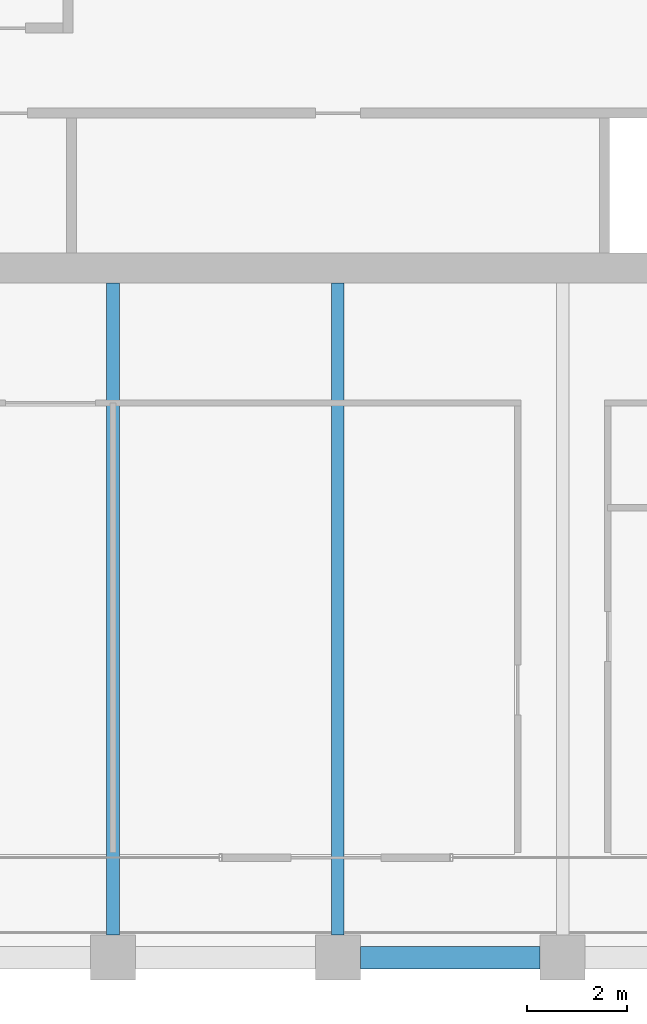
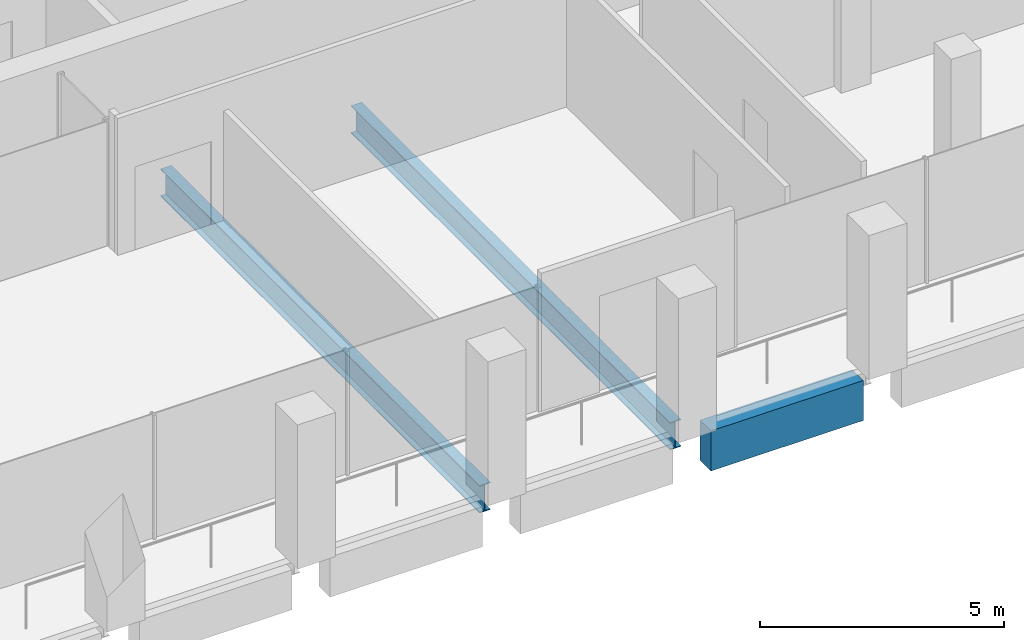
# One storey, part 8 of 40: 3 beams.
"""IFC4 building model written with IfcOpenShell, lengths in metres."""

from ifc_helpers import new_model, si_unit, direction, frame, origin, origin_2d, place, context, subcontext, project, spatial, rectangle, i_section, extrude, material, material_profile, profile_set, type_object, element, save


model = new_model("IFC4")

# Units and contexts
model_context = context("Model", 3, precision=1e-05, world=origin(), true_north=direction((0.0, 1.0)))
body_context = subcontext(model_context, "Body", "Model", "MODEL_VIEW")
ifc_project = project(units=[si_unit("LENGTHUNIT", "METRE"), si_unit("AREAUNIT", "SQUARE_METRE"), si_unit("VOLUMEUNIT", "CUBIC_METRE"), si_unit("PLANEANGLEUNIT", "RADIAN"), si_unit("MASSUNIT", "GRAM", prefix="KILO")], contexts=[model_context])

# Site, building, storey
site_placement = place(None, origin())
site = spatial("IfcSite", under=ifc_project, at=site_placement, CompositionType="ELEMENT")
building_placement = place(site_placement, origin())
building = spatial("IfcBuilding", under=site, at=building_placement, Name="Altepetl Exchange Towers", CompositionType="ELEMENT")
storey_placement = place(building_placement, frame((0.0, 0.0, 176.199951171875)))
storey = spatial("IfcBuildingStorey", under=building, at=storey_placement, Name="L44", CompositionType="ELEMENT", Elevation=176.199951171875)

# Beams
ifc_material_1 = material(Name="Steel S355", Category="steel")
ifc_material_profile_1 = material_profile(ifc_material_1, i_section(OverallWidth=0.25390625, OverallDepth=0.68408203125, WebThickness=0.012451171875, FlangeThickness=0.018798828125, at=origin_2d()), Name="W27X94")
ifc_profile_set_1 = profile_set([ifc_material_profile_1], Name="Steel S355")
beam_type_1 = type_object("IfcBeamType", Name="Floor beam W27X94", PredefinedType="BEAM", material=ifc_profile_set_1)
for number, where, z_axis, x_axis, name in (
    (1, (45.0, 27.449951171875, -0.491943359375), (0.0, 1.0, 0.0), (-1.0, 0.0, 0.0), "bm:A:L44:015"),
    (2, (49.5, 27.449951171875, -0.491943359375), (0.0, 1.0, 0.0), (-1.0, 0.0, 0.0), "bm:A:L44:016"),
):
    element("IfcBeam", number, at=place(storey_placement, frame(where, z_axis=z_axis, x_axis=x_axis)), inside=storey, type_object=beam_type_1, Name=name, PredefinedType="BEAM", context=body_context, shape_type="SweptSolid", body=[
        extrude(i_section(OverallWidth=0.25390625, OverallDepth=0.68408203125, WebThickness=0.012451171875, FlangeThickness=0.018798828125, at=origin_2d()), origin(), (0.0, 0.0, 1.0), 13.050048828125),
    ])
ifc_material_2 = material(Name="Concrete C50/60 precast with cantera blanca facing", Category="concrete")
ifc_material_profile_2 = material_profile(ifc_material_2, rectangle(XDim=0.449951171875, YDim=1.0, at=origin_2d()), Name="450 x 1000")
ifc_profile_set_2 = profile_set([ifc_material_profile_2], Name="Concrete C50/60 precast with cantera blanca facing")
beam_type_2 = type_object("IfcBeamType", Name="Spandrel beam 450x1000 cantera blanca", PredefinedType="SPANDREL", material=ifc_profile_set_2)
beam_placement = place(storey_placement, frame((49.949951171875, 27.0, -0.64990234375), z_axis=(1.0, 0.0, 0.0), x_axis=(0.0, 1.0, 0.0)))
element("IfcBeam", 3, at=beam_placement, inside=storey, type_object=beam_type_2, Name="sp:A:L44:004", PredefinedType="SPANDREL", context=body_context, shape_type="SweptSolid", body=[
    extrude(rectangle(XDim=0.449951171875, YDim=1.0, at=origin_2d()), origin(), (0.0, 0.0, 1.0), 3.60009765625),
])

save(model, "model.ifc")
